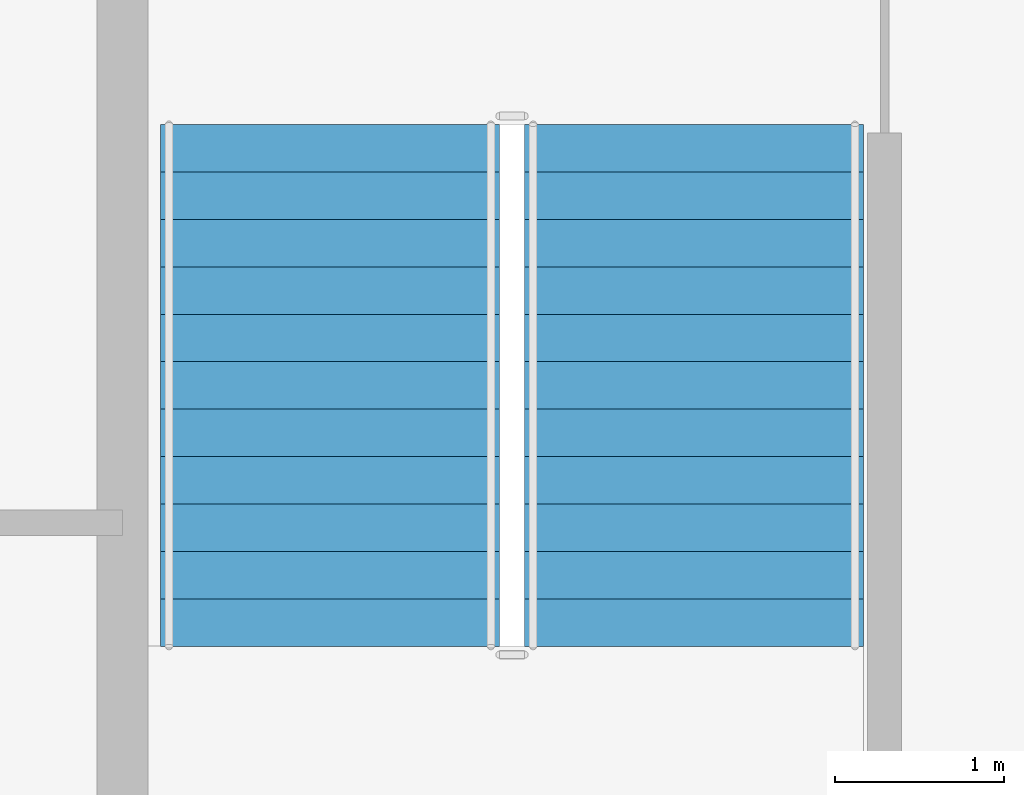
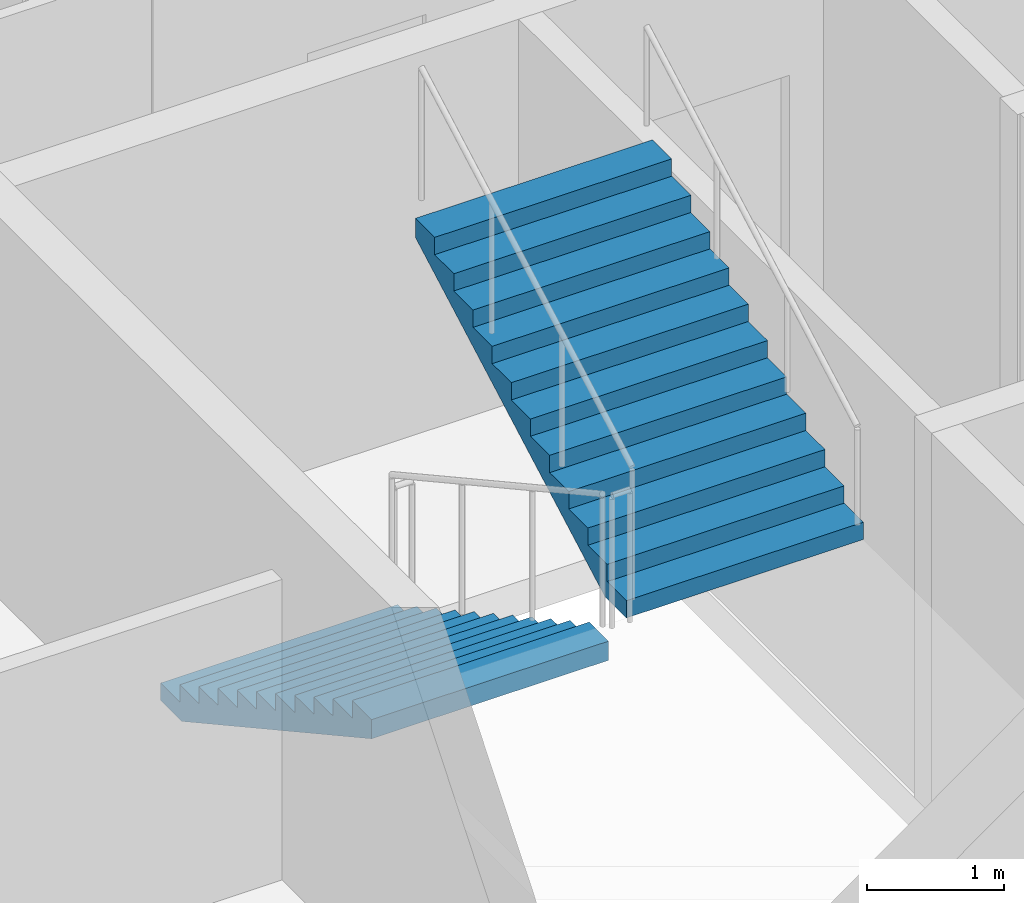
# One storey, part 11 of 19: 2 stair flights, 1 element without a shape of its own.
"""IFC4 building model written with IfcOpenShell, lengths in metres."""

from ifc_helpers import new_model, si_unit, direction, frame, origin, place, context, subcontext, project, spatial, polygons, material, type_object, element, aggregate, save


model = new_model("IFC4")

# Units and contexts
model_context = context("Model", 3, precision=1e-05, world=origin(), true_north=direction((0.0, 1.0)))
body_context = subcontext(model_context, "Body", "Model", "MODEL_VIEW")
ifc_project = project(units=[si_unit("LENGTHUNIT", "METRE"), si_unit("AREAUNIT", "SQUARE_METRE"), si_unit("VOLUMEUNIT", "CUBIC_METRE"), si_unit("PLANEANGLEUNIT", "RADIAN"), si_unit("MASSUNIT", "GRAM", prefix="KILO")], contexts=[model_context])

# Site, building, storey
site_placement = place(None, origin())
site = spatial("IfcSite", under=ifc_project, at=site_placement, CompositionType="ELEMENT")
building_placement = place(site_placement, origin())
building = spatial("IfcBuilding", under=site, at=building_placement, Name="Caravel Reach Hotel and Residences", CompositionType="ELEMENT")
storey_placement = place(building_placement, frame((0.0, 0.0, 150.60009765625)))
storey = spatial("IfcBuildingStorey", under=building, at=storey_placement, Name="L37", CompositionType="ELEMENT", Elevation=150.60009765625)

# Stair, stair flights
ifc_material_1 = material(Name="Concrete C40", Category="concrete")
stair_type = type_object("IfcStairType", Name="Core stair", PredefinedType="HALF_TURN_STAIR", material=ifc_material_1)
stair_placement = place(storey_placement, origin())
stair = element("IfcStair", 1, at=stair_placement, inside=storey, type_object=stair_type, Name="L37 Exit stair A", PredefinedType="HALF_TURN_STAIR")
ifc_material_2 = material(Name="Concrete C40", Category="concrete")
stair_flight_type = type_object("IfcStairFlightType", Name="Core stair flight", PredefinedType="STRAIGHT", material=ifc_material_2)
stair_flight_1_placement = place(storey_placement, frame((19.22509765625, 29.35009765625, 0.0), z_axis=(0.0, 0.0, 1.0), x_axis=(0.0, -1.0, 0.0)))
stair_flight_1 = element("IfcStairFlight", 2, at=stair_flight_1_placement, type_object=stair_flight_type, Name="ST-A flight 1", NumberOfRisers=12, NumberOfTreads=11, PredefinedType="STRAIGHT", RiserHeight=0.154166667, TreadLength=0.28, context=body_context, shape_type="Tessellation", body=[
    polygons([(0.3107950034306102, 1.0, 0.0), (0.3107950034306102, 0.6666666666666667, 0.0), (0.3107950034306102, 0.33333333333333337, 0.0), (0.3107950034306102, 0.0, 0.0), (0.3107950034306102, -0.33333333333333326, 0.0), (0.3107950034306102, -0.6666666666666667, 0.0), (0.3107950034306102, -1.0, 0.0), (3.081, 1.0, 1.524711087717319), (3.081, 0.6666666666666667, 1.524711087717319), (3.081, 0.33333333333333337, 1.524711087717319), (3.081, 0.0, 1.524711087717319), (3.081, -0.33333333333333326, 1.524711087717319), (3.081, -0.6666666666666667, 1.524711087717319), (3.081, -1.0, 1.524711087717319), (3.081, 1.0, 1.695833337), (3.081, 0.6666666666666667, 1.695833337), (3.081, 0.33333333333333337, 1.695833337), (3.081, 0.0, 1.695833337), (3.081, -0.33333333333333326, 1.695833337), (3.081, -0.6666666666666667, 1.695833337), (3.081, -1.0, 1.695833337), (2.8000000000000003, 1.0, 1.695833337), (2.8000000000000003, 0.6666666666666667, 1.695833337), (2.8000000000000003, 0.33333333333333337, 1.695833337), (2.8000000000000003, 0.0, 1.695833337), (2.8000000000000003, -0.33333333333333326, 1.695833337), (2.8000000000000003, -0.6666666666666667, 1.695833337), (2.8000000000000003, -1.0, 1.695833337), (2.8000000000000003, 1.0, 1.5416666700000001), (2.8000000000000003, 0.6666666666666667, 1.5416666700000001), (2.8000000000000003, 0.33333333333333337, 1.5416666700000001), (2.8000000000000003, 0.0, 1.5416666700000001), (2.8000000000000003, -0.33333333333333326, 1.5416666700000001), (2.8000000000000003, -0.6666666666666667, 1.5416666700000001), (2.8000000000000003, -1.0, 1.5416666700000001), (2.5200000000000005, 1.0, 1.5416666700000001), (2.5200000000000005, 0.6666666666666667, 1.5416666700000001), (2.5200000000000005, 0.33333333333333337, 1.5416666700000001), (2.5200000000000005, 0.0, 1.5416666700000001), (2.5200000000000005, -0.33333333333333326, 1.5416666700000001), (2.5200000000000005, -0.6666666666666667, 1.5416666700000001), (2.5200000000000005, -1.0, 1.5416666700000001), (2.5200000000000005, 1.0, 1.387500003), (2.5200000000000005, 0.6666666666666667, 1.387500003), (2.5200000000000005, 0.33333333333333337, 1.387500003), (2.5200000000000005, 0.0, 1.387500003), (2.5200000000000005, -0.33333333333333326, 1.387500003), (2.5200000000000005, -0.6666666666666667, 1.387500003), (2.5200000000000005, -1.0, 1.387500003), (2.24, 1.0, 1.387500003), (2.24, 0.6666666666666667, 1.387500003), (2.24, 0.33333333333333337, 1.387500003), (2.24, 0.0, 1.387500003), (2.24, -0.33333333333333326, 1.387500003), (2.24, -0.6666666666666667, 1.387500003), (2.24, -1.0, 1.387500003), (2.24, 1.0, 1.233333336), (2.24, 0.6666666666666667, 1.233333336), (2.24, 0.33333333333333337, 1.233333336), (2.24, 0.0, 1.233333336), (2.24, -0.33333333333333326, 1.233333336), (2.24, -0.6666666666666667, 1.233333336), (2.24, -1.0, 1.233333336), (1.9600000000000002, 1.0, 1.233333336), (1.9600000000000002, 0.6666666666666667, 1.233333336), (1.9600000000000002, 0.33333333333333337, 1.233333336), (1.9600000000000002, 0.0, 1.233333336), (1.9600000000000002, -0.33333333333333326, 1.233333336), (1.9600000000000002, -0.6666666666666667, 1.233333336), (1.9600000000000002, -1.0, 1.233333336), (1.9600000000000002, 1.0, 1.0791666690000001), (1.9600000000000002, 0.6666666666666667, 1.0791666690000001), (1.9600000000000002, 0.33333333333333337, 1.0791666690000001), (1.9600000000000002, 0.0, 1.0791666690000001), (1.9600000000000002, -0.33333333333333326, 1.0791666690000001), (1.9600000000000002, -0.6666666666666667, 1.0791666690000001), (1.9600000000000002, -1.0, 1.0791666690000001), (1.6800000000000002, 1.0, 1.0791666690000001), (1.6800000000000002, 0.6666666666666667, 1.0791666690000001), (1.6800000000000002, 0.33333333333333337, 1.0791666690000001), (1.6800000000000002, 0.0, 1.0791666690000001), (1.6800000000000002, -0.33333333333333326, 1.0791666690000001), (1.6800000000000002, -0.6666666666666667, 1.0791666690000001), (1.6800000000000002, -1.0, 1.0791666690000001), (1.6800000000000002, 1.0, 0.925000002), (1.6800000000000002, 0.6666666666666667, 0.925000002), (1.6800000000000002, 0.33333333333333337, 0.925000002), (1.6800000000000002, 0.0, 0.925000002), (1.6800000000000002, -0.33333333333333326, 0.925000002), (1.6800000000000002, -0.6666666666666667, 0.925000002), (1.6800000000000002, -1.0, 0.925000002), (1.4000000000000001, 1.0, 0.925000002), (1.4000000000000001, 0.6666666666666667, 0.925000002), (1.4000000000000001, 0.33333333333333337, 0.925000002), (1.4000000000000001, 0.0, 0.925000002), (1.4000000000000001, -0.33333333333333326, 0.925000002), (1.4000000000000001, -0.6666666666666667, 0.925000002), (1.4000000000000001, -1.0, 0.925000002), (1.4000000000000001, 1.0, 0.7708333350000001), (1.4000000000000001, 0.6666666666666667, 0.7708333350000001), (1.4000000000000001, 0.33333333333333337, 0.7708333350000001), (1.4000000000000001, 0.0, 0.7708333350000001), (1.4000000000000001, -0.33333333333333326, 0.7708333350000001), (1.4000000000000001, -0.6666666666666667, 0.7708333350000001), (1.4000000000000001, -1.0, 0.7708333350000001), (1.12, 1.0, 0.7708333350000001), (1.12, 0.6666666666666667, 0.7708333350000001), (1.12, 0.33333333333333337, 0.7708333350000001), (1.12, 0.0, 0.7708333350000001), (1.12, -0.33333333333333326, 0.7708333350000001), (1.12, -0.6666666666666667, 0.7708333350000001), (1.12, -1.0, 0.7708333350000001), (1.12, 1.0, 0.616666668), (1.12, 0.6666666666666667, 0.616666668), (1.12, 0.33333333333333337, 0.616666668), (1.12, 0.0, 0.616666668), (1.12, -0.33333333333333326, 0.616666668), (1.12, -0.6666666666666667, 0.616666668), (1.12, -1.0, 0.616666668), (0.8400000000000001, 1.0, 0.616666668), (0.8400000000000001, 0.6666666666666667, 0.616666668), (0.8400000000000001, 0.33333333333333337, 0.616666668), (0.8400000000000001, 0.0, 0.616666668), (0.8400000000000001, -0.33333333333333326, 0.616666668), (0.8400000000000001, -0.6666666666666667, 0.616666668), (0.8400000000000001, -1.0, 0.616666668), (0.8400000000000001, 1.0, 0.462500001), (0.8400000000000001, 0.6666666666666667, 0.462500001), (0.8400000000000001, 0.33333333333333337, 0.462500001), (0.8400000000000001, 0.0, 0.462500001), (0.8400000000000001, -0.33333333333333326, 0.462500001), (0.8400000000000001, -0.6666666666666667, 0.462500001), (0.8400000000000001, -1.0, 0.462500001), (0.56, 1.0, 0.462500001), (0.56, 0.6666666666666667, 0.462500001), (0.56, 0.33333333333333337, 0.462500001), (0.56, 0.0, 0.462500001), (0.56, -0.33333333333333326, 0.462500001), (0.56, -0.6666666666666667, 0.462500001), (0.56, -1.0, 0.462500001), (0.56, 1.0, 0.308333334), (0.56, 0.6666666666666667, 0.308333334), (0.56, 0.33333333333333337, 0.308333334), (0.56, 0.0, 0.308333334), (0.56, -0.33333333333333326, 0.308333334), (0.56, -0.6666666666666667, 0.308333334), (0.56, -1.0, 0.308333334), (0.28, 1.0, 0.308333334), (0.28, 0.6666666666666667, 0.308333334), (0.28, 0.33333333333333337, 0.308333334), (0.28, 0.0, 0.308333334), (0.28, -0.33333333333333326, 0.308333334), (0.28, -0.6666666666666667, 0.308333334), (0.28, -1.0, 0.308333334), (0.28, 1.0, 0.154166667), (0.28, 0.6666666666666667, 0.154166667), (0.28, 0.33333333333333337, 0.154166667), (0.28, 0.0, 0.154166667), (0.28, -0.33333333333333326, 0.154166667), (0.28, -0.6666666666666667, 0.154166667), (0.28, -1.0, 0.154166667), (-0.001, 1.0, 0.154166667), (-0.001, 0.6666666666666667, 0.154166667), (-0.001, 0.33333333333333337, 0.154166667), (-0.001, 0.0, 0.154166667), (-0.001, -0.33333333333333326, 0.154166667), (-0.001, -0.6666666666666667, 0.154166667), (-0.001, -1.0, 0.154166667), (-0.001, 1.0, 0.0), (-0.001, 0.6666666666666667, 0.0), (-0.001, 0.33333333333333337, 0.0), (-0.001, 0.0, 0.0), (-0.001, -0.33333333333333326, 0.0), (-0.001, -0.6666666666666667, 0.0), (-0.001, -1.0, 0.0)], [[[169, 162, 155, 148, 141, 134, 127, 120, 113, 106, 99, 92, 85, 78, 71, 64, 57, 50, 43, 36, 29, 22, 15, 8, 1]], [[7, 14, 21, 28, 35, 42, 49, 56, 63, 70, 77, 84, 91, 98, 105, 112, 119, 126, 133, 140, 147, 154, 161, 168, 175]], [[1, 8, 9, 2]], [[2, 9, 10, 3]], [[3, 10, 11, 4]], [[4, 11, 12, 5]], [[5, 12, 13, 6]], [[6, 13, 14, 7]], [[8, 15, 16, 9]], [[9, 16, 17, 10]], [[10, 17, 18, 11]], [[11, 18, 19, 12]], [[12, 19, 20, 13]], [[13, 20, 21, 14]], [[15, 22, 23, 16]], [[16, 23, 24, 17]], [[17, 24, 25, 18]], [[18, 25, 26, 19]], [[19, 26, 27, 20]], [[20, 27, 28, 21]], [[22, 29, 30, 23]], [[23, 30, 31, 24]], [[24, 31, 32, 25]], [[25, 32, 33, 26]], [[26, 33, 34, 27]], [[27, 34, 35, 28]], [[29, 36, 37, 30]], [[30, 37, 38, 31]], [[31, 38, 39, 32]], [[32, 39, 40, 33]], [[33, 40, 41, 34]], [[34, 41, 42, 35]], [[36, 43, 44, 37]], [[37, 44, 45, 38]], [[38, 45, 46, 39]], [[39, 46, 47, 40]], [[40, 47, 48, 41]], [[41, 48, 49, 42]], [[43, 50, 51, 44]], [[44, 51, 52, 45]], [[45, 52, 53, 46]], [[46, 53, 54, 47]], [[47, 54, 55, 48]], [[48, 55, 56, 49]], [[50, 57, 58, 51]], [[51, 58, 59, 52]], [[52, 59, 60, 53]], [[53, 60, 61, 54]], [[54, 61, 62, 55]], [[55, 62, 63, 56]], [[57, 64, 65, 58]], [[58, 65, 66, 59]], [[59, 66, 67, 60]], [[60, 67, 68, 61]], [[61, 68, 69, 62]], [[62, 69, 70, 63]], [[64, 71, 72, 65]], [[65, 72, 73, 66]], [[66, 73, 74, 67]], [[67, 74, 75, 68]], [[68, 75, 76, 69]], [[69, 76, 77, 70]], [[71, 78, 79, 72]], [[72, 79, 80, 73]], [[73, 80, 81, 74]], [[74, 81, 82, 75]], [[75, 82, 83, 76]], [[76, 83, 84, 77]], [[78, 85, 86, 79]], [[79, 86, 87, 80]], [[80, 87, 88, 81]], [[81, 88, 89, 82]], [[82, 89, 90, 83]], [[83, 90, 91, 84]], [[85, 92, 93, 86]], [[86, 93, 94, 87]], [[87, 94, 95, 88]], [[88, 95, 96, 89]], [[89, 96, 97, 90]], [[90, 97, 98, 91]], [[92, 99, 100, 93]], [[93, 100, 101, 94]], [[94, 101, 102, 95]], [[95, 102, 103, 96]], [[96, 103, 104, 97]], [[97, 104, 105, 98]], [[99, 106, 107, 100]], [[100, 107, 108, 101]], [[101, 108, 109, 102]], [[102, 109, 110, 103]], [[103, 110, 111, 104]], [[104, 111, 112, 105]], [[106, 113, 114, 107]], [[107, 114, 115, 108]], [[108, 115, 116, 109]], [[109, 116, 117, 110]], [[110, 117, 118, 111]], [[111, 118, 119, 112]], [[113, 120, 121, 114]], [[114, 121, 122, 115]], [[115, 122, 123, 116]], [[116, 123, 124, 117]], [[117, 124, 125, 118]], [[118, 125, 126, 119]], [[120, 127, 128, 121]], [[121, 128, 129, 122]], [[122, 129, 130, 123]], [[123, 130, 131, 124]], [[124, 131, 132, 125]], [[125, 132, 133, 126]], [[127, 134, 135, 128]], [[128, 135, 136, 129]], [[129, 136, 137, 130]], [[130, 137, 138, 131]], [[131, 138, 139, 132]], [[132, 139, 140, 133]], [[134, 141, 142, 135]], [[135, 142, 143, 136]], [[136, 143, 144, 137]], [[137, 144, 145, 138]], [[138, 145, 146, 139]], [[139, 146, 147, 140]], [[141, 148, 149, 142]], [[142, 149, 150, 143]], [[143, 150, 151, 144]], [[144, 151, 152, 145]], [[145, 152, 153, 146]], [[146, 153, 154, 147]], [[148, 155, 156, 149]], [[149, 156, 157, 150]], [[150, 157, 158, 151]], [[151, 158, 159, 152]], [[152, 159, 160, 153]], [[153, 160, 161, 154]], [[155, 162, 163, 156]], [[156, 163, 164, 157]], [[157, 164, 165, 158]], [[158, 165, 166, 159]], [[159, 166, 167, 160]], [[160, 167, 168, 161]], [[162, 169, 170, 163]], [[163, 170, 171, 164]], [[164, 171, 172, 165]], [[165, 172, 173, 166]], [[166, 173, 174, 167]], [[167, 174, 175, 168]], [[169, 1, 2, 170]], [[170, 2, 3, 171]], [[171, 3, 4, 172]], [[172, 4, 5, 173]], [[173, 5, 6, 174]], [[174, 6, 7, 175]]], closed=True),
])
stair_flight_2_placement = place(storey_placement, frame((21.375, 26.27001953125, 1.849853515625), z_axis=(0.0, 0.0, 1.0), x_axis=(0.0, 1.0, 0.0)))
stair_flight_2 = element("IfcStairFlight", 3, at=stair_flight_2_placement, type_object=stair_flight_type, Name="ST-A flight 2", NumberOfRisers=12, NumberOfTreads=11, PredefinedType="STRAIGHT", RiserHeight=0.154166667, TreadLength=0.28, context=body_context, shape_type="Tessellation", body=[
    polygons([(0.3107950034306102, 1.0, 0.0), (0.3107950034306102, 0.6666666666666667, 0.0), (0.3107950034306102, 0.33333333333333337, 0.0), (0.3107950034306102, 0.0, 0.0), (0.3107950034306102, -0.33333333333333326, 0.0), (0.3107950034306102, -0.6666666666666667, 0.0), (0.3107950034306102, -1.0, 0.0), (3.081, 1.0, 1.524711087717319), (3.081, 0.6666666666666667, 1.524711087717319), (3.081, 0.33333333333333337, 1.524711087717319), (3.081, 0.0, 1.524711087717319), (3.081, -0.33333333333333326, 1.524711087717319), (3.081, -0.6666666666666667, 1.524711087717319), (3.081, -1.0, 1.524711087717319), (3.081, 1.0, 1.695833337), (3.081, 0.6666666666666667, 1.695833337), (3.081, 0.33333333333333337, 1.695833337), (3.081, 0.0, 1.695833337), (3.081, -0.33333333333333326, 1.695833337), (3.081, -0.6666666666666667, 1.695833337), (3.081, -1.0, 1.695833337), (2.8000000000000003, 1.0, 1.695833337), (2.8000000000000003, 0.6666666666666667, 1.695833337), (2.8000000000000003, 0.33333333333333337, 1.695833337), (2.8000000000000003, 0.0, 1.695833337), (2.8000000000000003, -0.33333333333333326, 1.695833337), (2.8000000000000003, -0.6666666666666667, 1.695833337), (2.8000000000000003, -1.0, 1.695833337), (2.8000000000000003, 1.0, 1.5416666700000001), (2.8000000000000003, 0.6666666666666667, 1.5416666700000001), (2.8000000000000003, 0.33333333333333337, 1.5416666700000001), (2.8000000000000003, 0.0, 1.5416666700000001), (2.8000000000000003, -0.33333333333333326, 1.5416666700000001), (2.8000000000000003, -0.6666666666666667, 1.5416666700000001), (2.8000000000000003, -1.0, 1.5416666700000001), (2.5200000000000005, 1.0, 1.5416666700000001), (2.5200000000000005, 0.6666666666666667, 1.5416666700000001), (2.5200000000000005, 0.33333333333333337, 1.5416666700000001), (2.5200000000000005, 0.0, 1.5416666700000001), (2.5200000000000005, -0.33333333333333326, 1.5416666700000001), (2.5200000000000005, -0.6666666666666667, 1.5416666700000001), (2.5200000000000005, -1.0, 1.5416666700000001), (2.5200000000000005, 1.0, 1.387500003), (2.5200000000000005, 0.6666666666666667, 1.387500003), (2.5200000000000005, 0.33333333333333337, 1.387500003), (2.5200000000000005, 0.0, 1.387500003), (2.5200000000000005, -0.33333333333333326, 1.387500003), (2.5200000000000005, -0.6666666666666667, 1.387500003), (2.5200000000000005, -1.0, 1.387500003), (2.24, 1.0, 1.387500003), (2.24, 0.6666666666666667, 1.387500003), (2.24, 0.33333333333333337, 1.387500003), (2.24, 0.0, 1.387500003), (2.24, -0.33333333333333326, 1.387500003), (2.24, -0.6666666666666667, 1.387500003), (2.24, -1.0, 1.387500003), (2.24, 1.0, 1.233333336), (2.24, 0.6666666666666667, 1.233333336), (2.24, 0.33333333333333337, 1.233333336), (2.24, 0.0, 1.233333336), (2.24, -0.33333333333333326, 1.233333336), (2.24, -0.6666666666666667, 1.233333336), (2.24, -1.0, 1.233333336), (1.9600000000000002, 1.0, 1.233333336), (1.9600000000000002, 0.6666666666666667, 1.233333336), (1.9600000000000002, 0.33333333333333337, 1.233333336), (1.9600000000000002, 0.0, 1.233333336), (1.9600000000000002, -0.33333333333333326, 1.233333336), (1.9600000000000002, -0.6666666666666667, 1.233333336), (1.9600000000000002, -1.0, 1.233333336), (1.9600000000000002, 1.0, 1.0791666690000001), (1.9600000000000002, 0.6666666666666667, 1.0791666690000001), (1.9600000000000002, 0.33333333333333337, 1.0791666690000001), (1.9600000000000002, 0.0, 1.0791666690000001), (1.9600000000000002, -0.33333333333333326, 1.0791666690000001), (1.9600000000000002, -0.6666666666666667, 1.0791666690000001), (1.9600000000000002, -1.0, 1.0791666690000001), (1.6800000000000002, 1.0, 1.0791666690000001), (1.6800000000000002, 0.6666666666666667, 1.0791666690000001), (1.6800000000000002, 0.33333333333333337, 1.0791666690000001), (1.6800000000000002, 0.0, 1.0791666690000001), (1.6800000000000002, -0.33333333333333326, 1.0791666690000001), (1.6800000000000002, -0.6666666666666667, 1.0791666690000001), (1.6800000000000002, -1.0, 1.0791666690000001), (1.6800000000000002, 1.0, 0.925000002), (1.6800000000000002, 0.6666666666666667, 0.925000002), (1.6800000000000002, 0.33333333333333337, 0.925000002), (1.6800000000000002, 0.0, 0.925000002), (1.6800000000000002, -0.33333333333333326, 0.925000002), (1.6800000000000002, -0.6666666666666667, 0.925000002), (1.6800000000000002, -1.0, 0.925000002), (1.4000000000000001, 1.0, 0.925000002), (1.4000000000000001, 0.6666666666666667, 0.925000002), (1.4000000000000001, 0.33333333333333337, 0.925000002), (1.4000000000000001, 0.0, 0.925000002), (1.4000000000000001, -0.33333333333333326, 0.925000002), (1.4000000000000001, -0.6666666666666667, 0.925000002), (1.4000000000000001, -1.0, 0.925000002), (1.4000000000000001, 1.0, 0.7708333350000001), (1.4000000000000001, 0.6666666666666667, 0.7708333350000001), (1.4000000000000001, 0.33333333333333337, 0.7708333350000001), (1.4000000000000001, 0.0, 0.7708333350000001), (1.4000000000000001, -0.33333333333333326, 0.7708333350000001), (1.4000000000000001, -0.6666666666666667, 0.7708333350000001), (1.4000000000000001, -1.0, 0.7708333350000001), (1.12, 1.0, 0.7708333350000001), (1.12, 0.6666666666666667, 0.7708333350000001), (1.12, 0.33333333333333337, 0.7708333350000001), (1.12, 0.0, 0.7708333350000001), (1.12, -0.33333333333333326, 0.7708333350000001), (1.12, -0.6666666666666667, 0.7708333350000001), (1.12, -1.0, 0.7708333350000001), (1.12, 1.0, 0.616666668), (1.12, 0.6666666666666667, 0.616666668), (1.12, 0.33333333333333337, 0.616666668), (1.12, 0.0, 0.616666668), (1.12, -0.33333333333333326, 0.616666668), (1.12, -0.6666666666666667, 0.616666668), (1.12, -1.0, 0.616666668), (0.8400000000000001, 1.0, 0.616666668), (0.8400000000000001, 0.6666666666666667, 0.616666668), (0.8400000000000001, 0.33333333333333337, 0.616666668), (0.8400000000000001, 0.0, 0.616666668), (0.8400000000000001, -0.33333333333333326, 0.616666668), (0.8400000000000001, -0.6666666666666667, 0.616666668), (0.8400000000000001, -1.0, 0.616666668), (0.8400000000000001, 1.0, 0.462500001), (0.8400000000000001, 0.6666666666666667, 0.462500001), (0.8400000000000001, 0.33333333333333337, 0.462500001), (0.8400000000000001, 0.0, 0.462500001), (0.8400000000000001, -0.33333333333333326, 0.462500001), (0.8400000000000001, -0.6666666666666667, 0.462500001), (0.8400000000000001, -1.0, 0.462500001), (0.56, 1.0, 0.462500001), (0.56, 0.6666666666666667, 0.462500001), (0.56, 0.33333333333333337, 0.462500001), (0.56, 0.0, 0.462500001), (0.56, -0.33333333333333326, 0.462500001), (0.56, -0.6666666666666667, 0.462500001), (0.56, -1.0, 0.462500001), (0.56, 1.0, 0.308333334), (0.56, 0.6666666666666667, 0.308333334), (0.56, 0.33333333333333337, 0.308333334), (0.56, 0.0, 0.308333334), (0.56, -0.33333333333333326, 0.308333334), (0.56, -0.6666666666666667, 0.308333334), (0.56, -1.0, 0.308333334), (0.28, 1.0, 0.308333334), (0.28, 0.6666666666666667, 0.308333334), (0.28, 0.33333333333333337, 0.308333334), (0.28, 0.0, 0.308333334), (0.28, -0.33333333333333326, 0.308333334), (0.28, -0.6666666666666667, 0.308333334), (0.28, -1.0, 0.308333334), (0.28, 1.0, 0.154166667), (0.28, 0.6666666666666667, 0.154166667), (0.28, 0.33333333333333337, 0.154166667), (0.28, 0.0, 0.154166667), (0.28, -0.33333333333333326, 0.154166667), (0.28, -0.6666666666666667, 0.154166667), (0.28, -1.0, 0.154166667), (-0.001, 1.0, 0.154166667), (-0.001, 0.6666666666666667, 0.154166667), (-0.001, 0.33333333333333337, 0.154166667), (-0.001, 0.0, 0.154166667), (-0.001, -0.33333333333333326, 0.154166667), (-0.001, -0.6666666666666667, 0.154166667), (-0.001, -1.0, 0.154166667), (-0.001, 1.0, 0.0), (-0.001, 0.6666666666666667, 0.0), (-0.001, 0.33333333333333337, 0.0), (-0.001, 0.0, 0.0), (-0.001, -0.33333333333333326, 0.0), (-0.001, -0.6666666666666667, 0.0), (-0.001, -1.0, 0.0)], [[[169, 162, 155, 148, 141, 134, 127, 120, 113, 106, 99, 92, 85, 78, 71, 64, 57, 50, 43, 36, 29, 22, 15, 8, 1]], [[7, 14, 21, 28, 35, 42, 49, 56, 63, 70, 77, 84, 91, 98, 105, 112, 119, 126, 133, 140, 147, 154, 161, 168, 175]], [[1, 8, 9, 2]], [[2, 9, 10, 3]], [[3, 10, 11, 4]], [[4, 11, 12, 5]], [[5, 12, 13, 6]], [[6, 13, 14, 7]], [[8, 15, 16, 9]], [[9, 16, 17, 10]], [[10, 17, 18, 11]], [[11, 18, 19, 12]], [[12, 19, 20, 13]], [[13, 20, 21, 14]], [[15, 22, 23, 16]], [[16, 23, 24, 17]], [[17, 24, 25, 18]], [[18, 25, 26, 19]], [[19, 26, 27, 20]], [[20, 27, 28, 21]], [[22, 29, 30, 23]], [[23, 30, 31, 24]], [[24, 31, 32, 25]], [[25, 32, 33, 26]], [[26, 33, 34, 27]], [[27, 34, 35, 28]], [[29, 36, 37, 30]], [[30, 37, 38, 31]], [[31, 38, 39, 32]], [[32, 39, 40, 33]], [[33, 40, 41, 34]], [[34, 41, 42, 35]], [[36, 43, 44, 37]], [[37, 44, 45, 38]], [[38, 45, 46, 39]], [[39, 46, 47, 40]], [[40, 47, 48, 41]], [[41, 48, 49, 42]], [[43, 50, 51, 44]], [[44, 51, 52, 45]], [[45, 52, 53, 46]], [[46, 53, 54, 47]], [[47, 54, 55, 48]], [[48, 55, 56, 49]], [[50, 57, 58, 51]], [[51, 58, 59, 52]], [[52, 59, 60, 53]], [[53, 60, 61, 54]], [[54, 61, 62, 55]], [[55, 62, 63, 56]], [[57, 64, 65, 58]], [[58, 65, 66, 59]], [[59, 66, 67, 60]], [[60, 67, 68, 61]], [[61, 68, 69, 62]], [[62, 69, 70, 63]], [[64, 71, 72, 65]], [[65, 72, 73, 66]], [[66, 73, 74, 67]], [[67, 74, 75, 68]], [[68, 75, 76, 69]], [[69, 76, 77, 70]], [[71, 78, 79, 72]], [[72, 79, 80, 73]], [[73, 80, 81, 74]], [[74, 81, 82, 75]], [[75, 82, 83, 76]], [[76, 83, 84, 77]], [[78, 85, 86, 79]], [[79, 86, 87, 80]], [[80, 87, 88, 81]], [[81, 88, 89, 82]], [[82, 89, 90, 83]], [[83, 90, 91, 84]], [[85, 92, 93, 86]], [[86, 93, 94, 87]], [[87, 94, 95, 88]], [[88, 95, 96, 89]], [[89, 96, 97, 90]], [[90, 97, 98, 91]], [[92, 99, 100, 93]], [[93, 100, 101, 94]], [[94, 101, 102, 95]], [[95, 102, 103, 96]], [[96, 103, 104, 97]], [[97, 104, 105, 98]], [[99, 106, 107, 100]], [[100, 107, 108, 101]], [[101, 108, 109, 102]], [[102, 109, 110, 103]], [[103, 110, 111, 104]], [[104, 111, 112, 105]], [[106, 113, 114, 107]], [[107, 114, 115, 108]], [[108, 115, 116, 109]], [[109, 116, 117, 110]], [[110, 117, 118, 111]], [[111, 118, 119, 112]], [[113, 120, 121, 114]], [[114, 121, 122, 115]], [[115, 122, 123, 116]], [[116, 123, 124, 117]], [[117, 124, 125, 118]], [[118, 125, 126, 119]], [[120, 127, 128, 121]], [[121, 128, 129, 122]], [[122, 129, 130, 123]], [[123, 130, 131, 124]], [[124, 131, 132, 125]], [[125, 132, 133, 126]], [[127, 134, 135, 128]], [[128, 135, 136, 129]], [[129, 136, 137, 130]], [[130, 137, 138, 131]], [[131, 138, 139, 132]], [[132, 139, 140, 133]], [[134, 141, 142, 135]], [[135, 142, 143, 136]], [[136, 143, 144, 137]], [[137, 144, 145, 138]], [[138, 145, 146, 139]], [[139, 146, 147, 140]], [[141, 148, 149, 142]], [[142, 149, 150, 143]], [[143, 150, 151, 144]], [[144, 151, 152, 145]], [[145, 152, 153, 146]], [[146, 153, 154, 147]], [[148, 155, 156, 149]], [[149, 156, 157, 150]], [[150, 157, 158, 151]], [[151, 158, 159, 152]], [[152, 159, 160, 153]], [[153, 160, 161, 154]], [[155, 162, 163, 156]], [[156, 163, 164, 157]], [[157, 164, 165, 158]], [[158, 165, 166, 159]], [[159, 166, 167, 160]], [[160, 167, 168, 161]], [[162, 169, 170, 163]], [[163, 170, 171, 164]], [[164, 171, 172, 165]], [[165, 172, 173, 166]], [[166, 173, 174, 167]], [[167, 174, 175, 168]], [[169, 1, 2, 170]], [[170, 2, 3, 171]], [[171, 3, 4, 172]], [[172, 4, 5, 173]], [[173, 5, 6, 174]], [[174, 6, 7, 175]]], closed=True),
])
aggregate(stair, [stair_flight_1, stair_flight_2])

save(model, "model.ifc")
